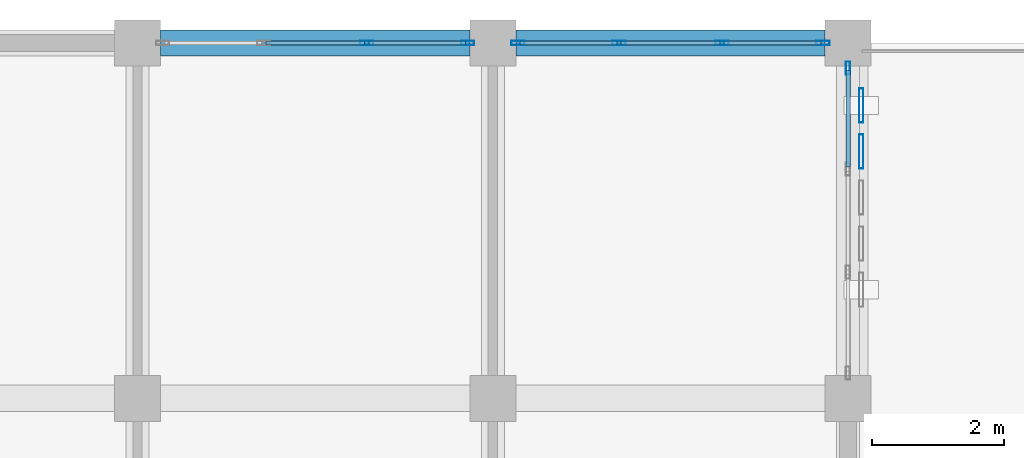
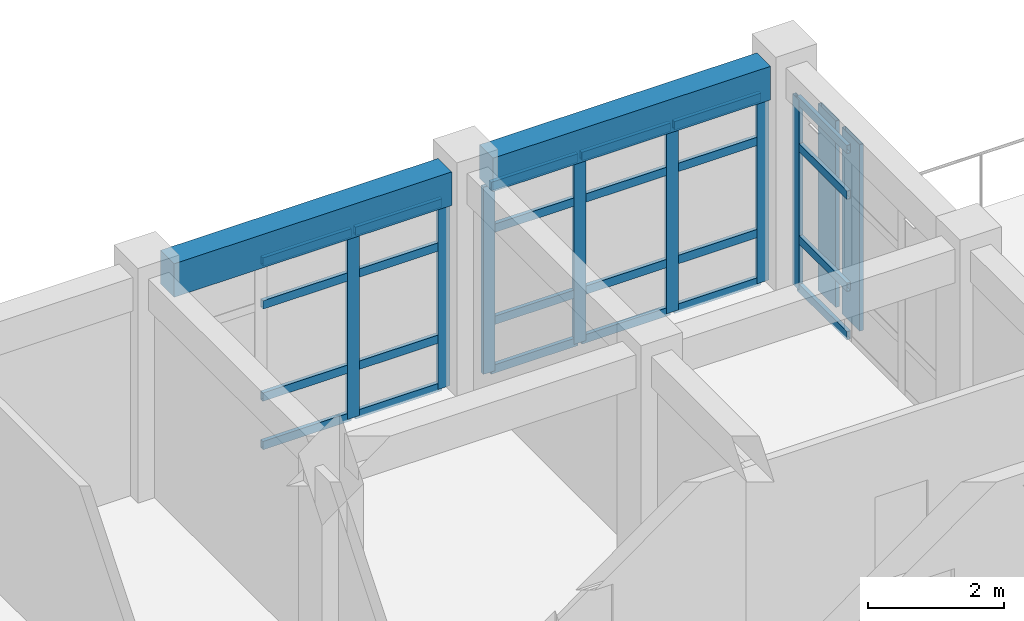
# One storey, part 15 of 22: 33 members, 2 beams, 3 elements without a shape of their own.
"""IFC4 building model written with IfcOpenShell, lengths in metres."""

import ifcopenshell
import ifcopenshell.guid

model = None  # the IFC model being written
_history = None  # IfcOwnerHistory: only IFC2X3 demands one
_inside = {}  # id of a spatial element -> (the spatial element, [elements in it])
_under = {}  # id of a project, library or spatial element -> (it, [spatial elements below it])
_declared = {}  # id of a project -> (the project, [libraries it declares])
_typed = {}  # id of a type object -> (the type object, [elements of that type])
_made_of = {}  # id of a material, layer set ... -> (it, [elements and type objects made of it])


def new_model(schema):
    """Start an empty IFC model of exactly this schema.

    Asked for "IFC4X3", IfcOpenShell would pick the latest addendum, in which some entities
    have other attributes; the version numbers below select the first issue.
    IFC2X3 requires an IfcOwnerHistory on every rooted entity: one is made here for all.
    """
    global model, _history
    if schema == "IFC4X3":
        model = ifcopenshell.file(schema_version=(4, 3, 0, 0))
    else:
        model = ifcopenshell.file(schema=schema)
    _inside.clear()
    _under.clear()
    _declared.clear()
    _typed.clear()
    _made_of.clear()
    _history = None
    if model.schema == "IFC2X3":
        org = make("IfcOrganization", Name="unknown")
        user = make(
            "IfcPersonAndOrganization",
            ThePerson=make("IfcPerson", FamilyName="unknown"),
            TheOrganization=org,
        )
        app = make(
            "IfcApplication",
            ApplicationDeveloper=org,
            Version="unknown",
            ApplicationFullName="unknown",
            ApplicationIdentifier="unknown",
        )
        _history = make(
            "IfcOwnerHistory",
            OwningUser=user,
            OwningApplication=app,
            ChangeAction="ADDED",
            CreationDate=0,
        )
    return model


def make(cls, **values):
    """One entity of the class cls with the attributes given. An attribute that is None is left unset."""
    return model.create_entity(
        cls, **{name: value for name, value in values.items() if value is not None}
    )


def rooted(cls, **values):
    """An entity with a GlobalId (a new one), such as an element, a storey or a relation."""
    return make(cls, GlobalId=ifcopenshell.guid.new(), OwnerHistory=_history, **values)


def si_unit(unit_type, name, prefix=None):
    """IfcSIUnit, for example si_unit("LENGTHUNIT", "METRE", prefix="MILLI")."""
    return make("IfcSIUnit", UnitType=unit_type, Prefix=prefix, Name=name)


def assignment(units):
    """IfcUnitAssignment: the units of a project."""
    return None if units is None else make("IfcUnitAssignment", Units=units)


def point(xyz):
    """IfcCartesianPoint."""
    return None if xyz is None else make("IfcCartesianPoint", Coordinates=xyz)


def direction(xyz):
    """IfcDirection."""
    return None if xyz is None else make("IfcDirection", DirectionRatios=xyz)


def frame(location, z_axis=None, x_axis=None):
    """IfcAxis2Placement3D, a coordinate frame: its origin and axes. An axis left out is left unset."""
    return make(
        "IfcAxis2Placement3D",
        Location=point(location),
        Axis=direction(z_axis),
        RefDirection=direction(x_axis),
    )


def frame_2d(location, x_axis=None):
    """IfcAxis2Placement2D, a coordinate frame in the plane: its origin and x axis."""
    return make(
        "IfcAxis2Placement2D", Location=point(location), RefDirection=direction(x_axis)
    )


def origin():
    """The frame at (0, 0, 0) with its axes left unset."""
    return frame((0.0, 0.0, 0.0))


def origin_2d():
    """The frame at (0, 0) in the plane with its x axis left unset."""
    return frame_2d((0.0, 0.0))


def place(relative_to, where):
    """IfcLocalPlacement: puts the frame where relative to a parent placement (None: the world)."""
    return make(
        "IfcLocalPlacement", PlacementRelTo=relative_to, RelativePlacement=where
    )


def context(
    kind, dimensions, precision=None, world=None, true_north=None, identifier=None
):
    """IfcGeometricRepresentationContext, for example the 3D "Model" context."""
    return make(
        "IfcGeometricRepresentationContext",
        ContextIdentifier=identifier,
        ContextType=kind,
        CoordinateSpaceDimension=dimensions,
        Precision=precision,
        WorldCoordinateSystem=world,
        TrueNorth=true_north,
    )


def subcontext(parent, identifier, kind, view, scale=None):
    """IfcGeometricRepresentationSubContext, for example "Body" below "Model"."""
    return make(
        "IfcGeometricRepresentationSubContext",
        ContextIdentifier=identifier,
        ContextType=kind,
        ParentContext=parent,
        TargetScale=scale,
        TargetView=view,
    )


def project(units=None, contexts=None):
    """IfcProject with its units and contexts."""
    return rooted(
        "IfcProject",
        Name="project",
        RepresentationContexts=contexts,
        UnitsInContext=assignment(units),
    )


def spatial(cls, under=None, at=None, **own):
    """A site, building, storey or space (cls), placed at a placement, below another one or the project."""
    s = rooted(cls, ObjectPlacement=at, **own)
    if under is not None:
        _under.setdefault(under.id(), (under, []))[1].append(s)
    return s


def profile(cls, at=None, kind="AREA", **sizes):
    """A parametric profile (cls). Its sizes go by their IFC names, for example OverallWidth=200.0."""
    return make(cls, ProfileType=kind, Position=at, **sizes)


def rectangle(**sizes):
    """IfcRectangleProfileDef."""
    return profile("IfcRectangleProfileDef", **sizes)


def hollow_rectangle(**sizes):
    """IfcRectangleHollowProfileDef."""
    return profile("IfcRectangleHollowProfileDef", **sizes)


def extrude(swept, where, along, depth):
    """IfcExtrudedAreaSolid: the profile swept, set in the frame where, extruded along a direction by depth."""
    return make(
        "IfcExtrudedAreaSolid",
        SweptArea=swept,
        Position=where,
        ExtrudedDirection=direction(along),
        Depth=depth,
    )


def shape(context_of_items, identifier, shape_type, items):
    """IfcShapeRepresentation: the items that make up one representation, for example the "Body"."""
    return make(
        "IfcShapeRepresentation",
        ContextOfItems=context_of_items,
        RepresentationIdentifier=identifier,
        RepresentationType=shape_type,
        Items=items,
    )


def material(Name=None, Category=None):
    """IfcMaterial."""
    return make("IfcMaterial", Name=Name, Category=Category)


def layer(
    of_material, thickness, ventilated=None, Name=None, Category=None, Priority=None
):
    """IfcMaterialLayer: one layer of a wall or slab, of a material (None: an air gap)."""
    return make(
        "IfcMaterialLayer",
        Material=of_material,
        LayerThickness=thickness,
        IsVentilated=ventilated,
        Name=Name,
        Category=Category,
        Priority=Priority,
    )


def layer_set(layers, Name=None):
    """IfcMaterialLayerSet."""
    return make("IfcMaterialLayerSet", MaterialLayers=layers, LayerSetName=Name)


def material_profile(
    of_material, cross_section, Name=None, Category=None, Priority=None
):
    """IfcMaterialProfile: a cross section and its material."""
    return make(
        "IfcMaterialProfile",
        Name=Name,
        Material=of_material,
        Profile=cross_section,
        Priority=Priority,
        Category=Category,
    )


def profile_set(profiles, Name=None, composite=None):
    """IfcMaterialProfileSet."""
    return make(
        "IfcMaterialProfileSet",
        Name=Name,
        MaterialProfiles=profiles,
        CompositeProfile=composite,
    )


def made_of(thing, what):
    """Note that an element or type object is made of a material, layer set ...; save() writes the relation."""
    if what is not None:
        _made_of.setdefault(what.id(), (what, []))[1].append(thing)
    return thing


def type_object(cls, material=None, **own):
    """A type object (cls), such as IfcWallType, which elements share."""
    return made_of(rooted(cls, **own), material)


def element(
    cls,
    number,
    at=None,
    inside=None,
    cuts=None,
    type_object=None,
    material=None,
    context=None,
    identifier="Body",
    shape_type=None,
    held_by="IfcProductDefinitionShape",
    body=None,
    shapes=None,
    **own,
):
    """One element of the class cls, such as IfcWall. Its Tag is "e" and its number.

    at: its placement. inside: the storey or other place that contains it. cuts: it is an
    opening in that element (IfcRelVoidsElement). A single representation is given by context,
    identifier, shape_type and body (its items); several are given by shapes. held_by: the class
    of the entity that holds the representations. save() writes the other relations.
    """
    e = rooted(cls, Tag="e%d" % number, ObjectPlacement=at, **own)
    if body is not None:
        shapes = [shape(context, identifier, shape_type, body)]
    if shapes is not None:
        e.Representation = make(held_by, Representations=shapes)
    if inside is not None:
        _inside.setdefault(inside.id(), (inside, []))[1].append(e)
    if cuts is not None:
        rooted(
            "IfcRelVoidsElement", RelatingBuildingElement=cuts, RelatedOpeningElement=e
        )
    if type_object is not None:
        _typed.setdefault(type_object.id(), (type_object, []))[1].append(e)
    return made_of(e, material)


def aggregate(whole, parts):
    """IfcRelAggregates: a whole, such as a stair, and the parts it consists of."""
    return rooted("IfcRelAggregates", RelatingObject=whole, RelatedObjects=parts)


def save(model, path):
    """Write the relations noted so far, then the file.

    IfcRelAggregates (storeys below a building ...), IfcRelContainedInSpatialStructure (elements
    in a storey), IfcRelDefinesByType, IfcRelAssociatesMaterial and IfcRelDeclares: one each for
    every whole, place, type object, material and project.
    """
    for whole, parts in _under.values():
        aggregate(whole, parts)
    for where, things in _inside.values():
        rooted(
            "IfcRelContainedInSpatialStructure",
            RelatedElements=things,
            RelatingStructure=where,
        )
    for kind, things in _typed.values():
        rooted("IfcRelDefinesByType", RelatedObjects=things, RelatingType=kind)
    for what, things in _made_of.values():
        rooted("IfcRelAssociatesMaterial", RelatedObjects=things, RelatingMaterial=what)
    for by, libraries in _declared.values():
        rooted("IfcRelDeclares", RelatingContext=by, RelatedDefinitions=libraries)
    model.write(path)


model = new_model("IFC4")

# Units and contexts
model_context = context("Model", 3, precision=1e-05, world=origin(), true_north=direction((0.0, 1.0)))
body_context = subcontext(model_context, "Body", "Model", "MODEL_VIEW")
ifc_project = project(units=[si_unit("LENGTHUNIT", "METRE"), si_unit("AREAUNIT", "SQUARE_METRE"), si_unit("VOLUMEUNIT", "CUBIC_METRE"), si_unit("PLANEANGLEUNIT", "RADIAN"), si_unit("MASSUNIT", "GRAM", prefix="KILO")], contexts=[model_context])

# Site, building, storey
site_placement = place(None, origin())
site = spatial("IfcSite", under=ifc_project, at=site_placement, CompositionType="ELEMENT")
building_placement = place(site_placement, origin())
building = spatial("IfcBuilding", under=site, at=building_placement, Name="Krzemoval Escarpment Law Courts", CompositionType="ELEMENT")
storey_placement = place(building_placement, frame((0.0, 0.0, 29.39990234375)))
storey = spatial("IfcBuildingStorey", under=building, at=storey_placement, Name="L06", CompositionType="ELEMENT", Elevation=29.39990234375)

# Beams
ifc_material_1 = material(Name="Concrete C40/50", Category="concrete")
ifc_material_profile_1 = material_profile(ifc_material_1, rectangle(XDim=0.39990234375, YDim=0.60009765625, at=origin_2d()), Name="RCB 400x600")
ifc_profile_set_1 = profile_set([ifc_material_profile_1], Name="Concrete C40/50")
beam_type = type_object("IfcBeamType", Name="BM-RC-400x600", PredefinedType="BEAM", material=ifc_profile_set_1)
for number, where, z_axis, x_axis, name in (
    (1, (156.949951171875, 118.800048828125, 3.650146484375), (1.0, 0.0, 0.0), (0.0, 1.0, 0.0), "Beam FG-L06-2658"),
    (2, (162.35009765625, 118.800048828125, 3.650146484375), (1.0, 0.0, 0.0), (0.0, 1.0, 0.0), "Beam FG-L06-2659"),
):
    element("IfcBeam", number, at=place(storey_placement, frame(where, z_axis=z_axis, x_axis=x_axis)), inside=storey, type_object=beam_type, Name=name, PredefinedType="BEAM", context=body_context, shape_type="SweptSolid", body=[
        extrude(rectangle(XDim=0.39990234375, YDim=0.60009765625, at=origin_2d()), origin(), (0.0, 0.0, 1.0), 4.699951171875),
    ])

# Curtain wall, members
ifc_material_2 = material(Name="Aluminium 6063-T6", Category="aluminium")
ifc_layer = layer(ifc_material_2, 0.219970703125)
ifc_layer_set = layer_set([ifc_layer], Name="Aluminium 6063-T6")
curtain_wall_type = type_object("IfcCurtainWallType", Name="CW-CHMB-4200", PredefinedType="USERDEFINED", material=ifc_layer_set)
curtain_wall_1_placement = place(storey_placement, origin())
curtain_wall_1 = element("IfcCurtainWall", 3, at=curtain_wall_1_placement, inside=storey, type_object=curtain_wall_type, Name="Unitised Curtain Wall FCW-L06-151", ObjectType="UNITISED_CURTAIN_WALL", PredefinedType="USERDEFINED")
ifc_material_3 = material(Name="Aluminium 6063-T6", Category="aluminium")
ifc_material_profile_2 = material_profile(ifc_material_3, hollow_rectangle(XDim=0.06494140625, YDim=0.199951171875, WallThickness=0.00439453125, at=origin_2d()), Name="ALU M65x200")
ifc_profile_set_2 = profile_set([ifc_material_profile_2], Name="Aluminium 6063-T6")
member_type_1 = type_object("IfcMemberType", Name="CWM-65x200", PredefinedType="MULLION", material=ifc_profile_set_2)
member_1_placement = place(storey_placement, frame((160.083251953125, 118.800048828125, 0.0), z_axis=(0.0, 0.0, 1.0), x_axis=(0.0, 1.0, 0.0)))
member_1 = element("IfcMember", 4, at=member_1_placement, type_object=member_type_1, Name="FCW-L06-151 mullion 3", PredefinedType="MULLION", context=body_context, shape_type="SweptSolid", body=[
    extrude(hollow_rectangle(XDim=0.06494140625, YDim=0.199951171875, WallThickness=0.00439453125, at=origin_2d()), origin(), (0.0, 0.0, 1.0), 3.35009765625),
])
member_2_placement = place(storey_placement, frame((161.617431640625, 118.800048828125, 0.0), z_axis=(0.0, 0.0, 1.0), x_axis=(0.0, 1.0, 0.0)))
member_2 = element("IfcMember", 5, at=member_2_placement, type_object=member_type_1, Name="FCW-L06-151 mullion 4", PredefinedType="MULLION", context=body_context, shape_type="SweptSolid", body=[
    extrude(hollow_rectangle(XDim=0.06494140625, YDim=0.199951171875, WallThickness=0.00439453125, at=origin_2d()), origin(), (0.0, 0.0, 1.0), 3.35009765625),
])

curtain_wall_2_placement = place(storey_placement, origin())
curtain_wall_2 = element("IfcCurtainWall", 6, at=curtain_wall_2_placement, inside=storey, type_object=curtain_wall_type, Name="Unitised Curtain Wall FCW-L06-152", ObjectType="UNITISED_CURTAIN_WALL", PredefinedType="USERDEFINED")
member_3_placement = place(storey_placement, frame((162.382568359375, 118.800048828125, 0.0), z_axis=(0.0, 0.0, 1.0), x_axis=(0.0, 1.0, 0.0)))
member_3 = element("IfcMember", 7, at=member_3_placement, type_object=member_type_1, Name="FCW-L06-152 mullion 1", PredefinedType="MULLION", context=body_context, shape_type="SweptSolid", body=[
    extrude(hollow_rectangle(XDim=0.06494140625, YDim=0.199951171875, WallThickness=0.00439453125, at=origin_2d()), origin(), (0.0, 0.0, 1.0), 3.35009765625),
])
member_4_placement = place(storey_placement, frame((163.916748046875, 118.800048828125, 0.0), z_axis=(0.0, 0.0, 1.0), x_axis=(0.0, 1.0, 0.0)))
member_4 = element("IfcMember", 8, at=member_4_placement, type_object=member_type_1, Name="FCW-L06-152 mullion 2", PredefinedType="MULLION", context=body_context, shape_type="SweptSolid", body=[
    extrude(hollow_rectangle(XDim=0.06494140625, YDim=0.199951171875, WallThickness=0.00439453125, at=origin_2d()), origin(), (0.0, 0.0, 1.0), 3.35009765625),
])
member_5_placement = place(storey_placement, frame((165.4833984375, 118.800048828125, 0.0), z_axis=(0.0, 0.0, 1.0), x_axis=(0.0, 1.0, 0.0)))
member_5 = element("IfcMember", 9, at=member_5_placement, type_object=member_type_1, Name="FCW-L06-152 mullion 3", PredefinedType="MULLION", context=body_context, shape_type="SweptSolid", body=[
    extrude(hollow_rectangle(XDim=0.06494140625, YDim=0.199951171875, WallThickness=0.00439453125, at=origin_2d()), origin(), (0.0, 0.0, 1.0), 3.35009765625),
])
member_6_placement = place(storey_placement, frame((167.017578125, 118.800048828125, 0.0), z_axis=(0.0, 0.0, 1.0), x_axis=(0.0, 1.0, 0.0)))
member_6 = element("IfcMember", 10, at=member_6_placement, type_object=member_type_1, Name="FCW-L06-152 mullion 4", PredefinedType="MULLION", context=body_context, shape_type="SweptSolid", body=[
    extrude(hollow_rectangle(XDim=0.06494140625, YDim=0.199951171875, WallThickness=0.00439453125, at=origin_2d()), origin(), (0.0, 0.0, 1.0), 3.35009765625),
])

# Curtain wall, member
curtain_wall_3_placement = place(storey_placement, origin())
curtain_wall_3 = element("IfcCurtainWall", 11, at=curtain_wall_3_placement, inside=storey, type_object=curtain_wall_type, Name="Unitised Curtain Wall FCW-L06-153", ObjectType="UNITISED_CURTAIN_WALL", PredefinedType="USERDEFINED")
member_7_placement = place(storey_placement, frame((167.39990234375, 118.41748046875, 0.0), z_axis=(0.0, 0.0, 1.0), x_axis=(1.0, 0.0, 0.0)))
member_7 = element("IfcMember", 12, at=member_7_placement, type_object=member_type_1, Name="FCW-L06-153 mullion 1", PredefinedType="MULLION", context=body_context, shape_type="SweptSolid", body=[
    extrude(hollow_rectangle(XDim=0.06494140625, YDim=0.199951171875, WallThickness=0.00439453125, at=origin_2d()), origin(), (0.0, 0.0, 1.0), 3.400146484375),
])

# Member
ifc_material_4 = material(Name="Aluminium 6063-T6", Category="aluminium")
ifc_material_profile_3 = material_profile(ifc_material_4, hollow_rectangle(XDim=0.06494140625, YDim=0.14990234375, WallThickness=0.00439453125, at=origin_2d()), Name="ALU T65x150")
ifc_profile_set_3 = profile_set([ifc_material_profile_3], Name="Aluminium 6063-T6")
member_type_2 = type_object("IfcMemberType", Name="CWT-65x150", PredefinedType="USERDEFINED", material=ifc_profile_set_3)
member_8_placement = place(storey_placement, frame((158.549072265625, 118.800048828125, 0.03271484375), z_axis=(1.0, 0.0, 0.0), x_axis=(0.0, 1.0, 0.0)))
member_8 = element("IfcMember", 13, at=member_8_placement, type_object=member_type_2, Name="FCW-L06-151 transom 2.1", ObjectType="TRANSOM", PredefinedType="USERDEFINED", context=body_context, shape_type="SweptSolid", body=[
    extrude(hollow_rectangle(XDim=0.06494140625, YDim=0.14990234375, WallThickness=0.00439453125, at=origin_2d()), origin(), (0.0, 0.0, 1.0), 1.501708984375),
])

member_9_placement = place(storey_placement, frame((158.549072265625, 118.800048828125, 0.900146484375), z_axis=(1.0, 0.0, 0.0), x_axis=(0.0, 1.0, 0.0)))
member_9 = element("IfcMember", 14, at=member_9_placement, type_object=member_type_2, Name="FCW-L06-151 transom 2.2", ObjectType="TRANSOM", PredefinedType="USERDEFINED", context=body_context, shape_type="SweptSolid", body=[
    extrude(hollow_rectangle(XDim=0.06494140625, YDim=0.14990234375, WallThickness=0.00439453125, at=origin_2d()), origin(), (0.0, 0.0, 1.0), 1.501708984375),
])

member_10_placement = place(storey_placement, frame((158.549072265625, 118.800048828125, 2.550048828125), z_axis=(1.0, 0.0, 0.0), x_axis=(0.0, 1.0, 0.0)))
member_10 = element("IfcMember", 15, at=member_10_placement, type_object=member_type_2, Name="FCW-L06-151 transom 2.3", ObjectType="TRANSOM", PredefinedType="USERDEFINED", context=body_context, shape_type="SweptSolid", body=[
    extrude(hollow_rectangle(XDim=0.06494140625, YDim=0.14990234375, WallThickness=0.00439453125, at=origin_2d()), origin(), (0.0, 0.0, 1.0), 1.501708984375),
])

member_11_placement = place(storey_placement, frame((158.549072265625, 118.800048828125, 3.317626953125), z_axis=(1.0, 0.0, 0.0), x_axis=(0.0, 1.0, 0.0)))
member_11 = element("IfcMember", 16, at=member_11_placement, type_object=member_type_2, Name="FCW-L06-151 transom 2.4", ObjectType="TRANSOM", PredefinedType="USERDEFINED", context=body_context, shape_type="SweptSolid", body=[
    extrude(hollow_rectangle(XDim=0.06494140625, YDim=0.14990234375, WallThickness=0.00439453125, at=origin_2d()), origin(), (0.0, 0.0, 1.0), 1.501708984375),
])

member_12_placement = place(storey_placement, frame((160.11572265625, 118.800048828125, 0.03271484375), z_axis=(1.0, 0.0, 0.0), x_axis=(0.0, 1.0, 0.0)))
member_12 = element("IfcMember", 17, at=member_12_placement, type_object=member_type_2, Name="FCW-L06-151 transom 3.1", ObjectType="TRANSOM", PredefinedType="USERDEFINED", context=body_context, shape_type="SweptSolid", body=[
    extrude(hollow_rectangle(XDim=0.06494140625, YDim=0.14990234375, WallThickness=0.00439453125, at=origin_2d()), origin(), (0.0, 0.0, 1.0), 1.46923828125),
])

member_13_placement = place(storey_placement, frame((160.11572265625, 118.800048828125, 0.900146484375), z_axis=(1.0, 0.0, 0.0), x_axis=(0.0, 1.0, 0.0)))
member_13 = element("IfcMember", 18, at=member_13_placement, type_object=member_type_2, Name="FCW-L06-151 transom 3.2", ObjectType="TRANSOM", PredefinedType="USERDEFINED", context=body_context, shape_type="SweptSolid", body=[
    extrude(hollow_rectangle(XDim=0.06494140625, YDim=0.14990234375, WallThickness=0.00439453125, at=origin_2d()), origin(), (0.0, 0.0, 1.0), 1.46923828125),
])

member_14_placement = place(storey_placement, frame((160.11572265625, 118.800048828125, 2.550048828125), z_axis=(1.0, 0.0, 0.0), x_axis=(0.0, 1.0, 0.0)))
member_14 = element("IfcMember", 19, at=member_14_placement, type_object=member_type_2, Name="FCW-L06-151 transom 3.3", ObjectType="TRANSOM", PredefinedType="USERDEFINED", context=body_context, shape_type="SweptSolid", body=[
    extrude(hollow_rectangle(XDim=0.06494140625, YDim=0.14990234375, WallThickness=0.00439453125, at=origin_2d()), origin(), (0.0, 0.0, 1.0), 1.46923828125),
])

member_15_placement = place(storey_placement, frame((160.11572265625, 118.800048828125, 3.317626953125), z_axis=(1.0, 0.0, 0.0), x_axis=(0.0, 1.0, 0.0)))
member_15 = element("IfcMember", 20, at=member_15_placement, type_object=member_type_2, Name="FCW-L06-151 transom 3.4", ObjectType="TRANSOM", PredefinedType="USERDEFINED", context=body_context, shape_type="SweptSolid", body=[
    extrude(hollow_rectangle(XDim=0.06494140625, YDim=0.14990234375, WallThickness=0.00439453125, at=origin_2d()), origin(), (0.0, 0.0, 1.0), 1.46923828125),
])

aggregate(curtain_wall_1, [member_1, member_2, member_8, member_9, member_10, member_11, member_12, member_13, member_14, member_15])

member_16_placement = place(storey_placement, frame((162.4150390625, 118.800048828125, 0.03271484375), z_axis=(1.0, 0.0, 0.0), x_axis=(0.0, 1.0, 0.0)))
member_16 = element("IfcMember", 21, at=member_16_placement, type_object=member_type_2, Name="FCW-L06-152 transom 1.1", ObjectType="TRANSOM", PredefinedType="USERDEFINED", context=body_context, shape_type="SweptSolid", body=[
    extrude(hollow_rectangle(XDim=0.06494140625, YDim=0.14990234375, WallThickness=0.00439453125, at=origin_2d()), origin(), (0.0, 0.0, 1.0), 1.46923828125),
])

member_17_placement = place(storey_placement, frame((162.4150390625, 118.800048828125, 0.900146484375), z_axis=(1.0, 0.0, 0.0), x_axis=(0.0, 1.0, 0.0)))
member_17 = element("IfcMember", 22, at=member_17_placement, type_object=member_type_2, Name="FCW-L06-152 transom 1.2", ObjectType="TRANSOM", PredefinedType="USERDEFINED", context=body_context, shape_type="SweptSolid", body=[
    extrude(hollow_rectangle(XDim=0.06494140625, YDim=0.14990234375, WallThickness=0.00439453125, at=origin_2d()), origin(), (0.0, 0.0, 1.0), 1.46923828125),
])

member_18_placement = place(storey_placement, frame((162.4150390625, 118.800048828125, 2.550048828125), z_axis=(1.0, 0.0, 0.0), x_axis=(0.0, 1.0, 0.0)))
member_18 = element("IfcMember", 23, at=member_18_placement, type_object=member_type_2, Name="FCW-L06-152 transom 1.3", ObjectType="TRANSOM", PredefinedType="USERDEFINED", context=body_context, shape_type="SweptSolid", body=[
    extrude(hollow_rectangle(XDim=0.06494140625, YDim=0.14990234375, WallThickness=0.00439453125, at=origin_2d()), origin(), (0.0, 0.0, 1.0), 1.46923828125),
])

member_19_placement = place(storey_placement, frame((162.4150390625, 118.800048828125, 3.317626953125), z_axis=(1.0, 0.0, 0.0), x_axis=(0.0, 1.0, 0.0)))
member_19 = element("IfcMember", 24, at=member_19_placement, type_object=member_type_2, Name="FCW-L06-152 transom 1.4", ObjectType="TRANSOM", PredefinedType="USERDEFINED", context=body_context, shape_type="SweptSolid", body=[
    extrude(hollow_rectangle(XDim=0.06494140625, YDim=0.14990234375, WallThickness=0.00439453125, at=origin_2d()), origin(), (0.0, 0.0, 1.0), 1.46923828125),
])

member_20_placement = place(storey_placement, frame((163.94921875, 118.800048828125, 0.03271484375), z_axis=(1.0, 0.0, 0.0), x_axis=(0.0, 1.0, 0.0)))
member_20 = element("IfcMember", 25, at=member_20_placement, type_object=member_type_2, Name="FCW-L06-152 transom 2.1", ObjectType="TRANSOM", PredefinedType="USERDEFINED", context=body_context, shape_type="SweptSolid", body=[
    extrude(hollow_rectangle(XDim=0.06494140625, YDim=0.14990234375, WallThickness=0.00439453125, at=origin_2d()), origin(), (0.0, 0.0, 1.0), 1.501708984375),
])

member_21_placement = place(storey_placement, frame((163.94921875, 118.800048828125, 0.900146484375), z_axis=(1.0, 0.0, 0.0), x_axis=(0.0, 1.0, 0.0)))
member_21 = element("IfcMember", 26, at=member_21_placement, type_object=member_type_2, Name="FCW-L06-152 transom 2.2", ObjectType="TRANSOM", PredefinedType="USERDEFINED", context=body_context, shape_type="SweptSolid", body=[
    extrude(hollow_rectangle(XDim=0.06494140625, YDim=0.14990234375, WallThickness=0.00439453125, at=origin_2d()), origin(), (0.0, 0.0, 1.0), 1.501708984375),
])

member_22_placement = place(storey_placement, frame((163.94921875, 118.800048828125, 2.550048828125), z_axis=(1.0, 0.0, 0.0), x_axis=(0.0, 1.0, 0.0)))
member_22 = element("IfcMember", 27, at=member_22_placement, type_object=member_type_2, Name="FCW-L06-152 transom 2.3", ObjectType="TRANSOM", PredefinedType="USERDEFINED", context=body_context, shape_type="SweptSolid", body=[
    extrude(hollow_rectangle(XDim=0.06494140625, YDim=0.14990234375, WallThickness=0.00439453125, at=origin_2d()), origin(), (0.0, 0.0, 1.0), 1.501708984375),
])

member_23_placement = place(storey_placement, frame((163.94921875, 118.800048828125, 3.317626953125), z_axis=(1.0, 0.0, 0.0), x_axis=(0.0, 1.0, 0.0)))
member_23 = element("IfcMember", 28, at=member_23_placement, type_object=member_type_2, Name="FCW-L06-152 transom 2.4", ObjectType="TRANSOM", PredefinedType="USERDEFINED", context=body_context, shape_type="SweptSolid", body=[
    extrude(hollow_rectangle(XDim=0.06494140625, YDim=0.14990234375, WallThickness=0.00439453125, at=origin_2d()), origin(), (0.0, 0.0, 1.0), 1.501708984375),
])

member_24_placement = place(storey_placement, frame((165.515869140625, 118.800048828125, 0.03271484375), z_axis=(1.0, 0.0, 0.0), x_axis=(0.0, 1.0, 0.0)))
member_24 = element("IfcMember", 29, at=member_24_placement, type_object=member_type_2, Name="FCW-L06-152 transom 3.1", ObjectType="TRANSOM", PredefinedType="USERDEFINED", context=body_context, shape_type="SweptSolid", body=[
    extrude(hollow_rectangle(XDim=0.06494140625, YDim=0.14990234375, WallThickness=0.00439453125, at=origin_2d()), origin(), (0.0, 0.0, 1.0), 1.46923828125),
])

member_25_placement = place(storey_placement, frame((165.515869140625, 118.800048828125, 0.900146484375), z_axis=(1.0, 0.0, 0.0), x_axis=(0.0, 1.0, 0.0)))
member_25 = element("IfcMember", 30, at=member_25_placement, type_object=member_type_2, Name="FCW-L06-152 transom 3.2", ObjectType="TRANSOM", PredefinedType="USERDEFINED", context=body_context, shape_type="SweptSolid", body=[
    extrude(hollow_rectangle(XDim=0.06494140625, YDim=0.14990234375, WallThickness=0.00439453125, at=origin_2d()), origin(), (0.0, 0.0, 1.0), 1.46923828125),
])

member_26_placement = place(storey_placement, frame((165.515869140625, 118.800048828125, 2.550048828125), z_axis=(1.0, 0.0, 0.0), x_axis=(0.0, 1.0, 0.0)))
member_26 = element("IfcMember", 31, at=member_26_placement, type_object=member_type_2, Name="FCW-L06-152 transom 3.3", ObjectType="TRANSOM", PredefinedType="USERDEFINED", context=body_context, shape_type="SweptSolid", body=[
    extrude(hollow_rectangle(XDim=0.06494140625, YDim=0.14990234375, WallThickness=0.00439453125, at=origin_2d()), origin(), (0.0, 0.0, 1.0), 1.46923828125),
])

member_27_placement = place(storey_placement, frame((165.515869140625, 118.800048828125, 3.317626953125), z_axis=(1.0, 0.0, 0.0), x_axis=(0.0, 1.0, 0.0)))
member_27 = element("IfcMember", 32, at=member_27_placement, type_object=member_type_2, Name="FCW-L06-152 transom 3.4", ObjectType="TRANSOM", PredefinedType="USERDEFINED", context=body_context, shape_type="SweptSolid", body=[
    extrude(hollow_rectangle(XDim=0.06494140625, YDim=0.14990234375, WallThickness=0.00439453125, at=origin_2d()), origin(), (0.0, 0.0, 1.0), 1.46923828125),
])

aggregate(curtain_wall_2, [member_3, member_4, member_5, member_6, member_16, member_17, member_18, member_19, member_20, member_21, member_22, member_23, member_24, member_25, member_26, member_27])

member_28_placement = place(storey_placement, frame((167.39990234375, 118.385009765625, 0.03271484375), z_axis=(0.0, -1.0, 0.0), x_axis=(1.0, 0.0, 0.0)))
member_28 = element("IfcMember", 33, at=member_28_placement, type_object=member_type_2, Name="FCW-L06-153 transom 1.1", ObjectType="TRANSOM", PredefinedType="USERDEFINED", context=body_context, shape_type="SweptSolid", body=[
    extrude(hollow_rectangle(XDim=0.06494140625, YDim=0.14990234375, WallThickness=0.00439453125, at=origin_2d()), origin(), (0.0, 0.0, 1.0), 1.46923828125),
])

member_29_placement = place(storey_placement, frame((167.39990234375, 118.385009765625, 0.900146484375), z_axis=(0.0, -1.0, 0.0), x_axis=(1.0, 0.0, 0.0)))
member_29 = element("IfcMember", 34, at=member_29_placement, type_object=member_type_2, Name="FCW-L06-153 transom 1.2", ObjectType="TRANSOM", PredefinedType="USERDEFINED", context=body_context, shape_type="SweptSolid", body=[
    extrude(hollow_rectangle(XDim=0.06494140625, YDim=0.14990234375, WallThickness=0.00439453125, at=origin_2d()), origin(), (0.0, 0.0, 1.0), 1.46923828125),
])

member_30_placement = place(storey_placement, frame((167.39990234375, 118.385009765625, 2.550048828125), z_axis=(0.0, -1.0, 0.0), x_axis=(1.0, 0.0, 0.0)))
member_30 = element("IfcMember", 35, at=member_30_placement, type_object=member_type_2, Name="FCW-L06-153 transom 1.3", ObjectType="TRANSOM", PredefinedType="USERDEFINED", context=body_context, shape_type="SweptSolid", body=[
    extrude(hollow_rectangle(XDim=0.06494140625, YDim=0.14990234375, WallThickness=0.00439453125, at=origin_2d()), origin(), (0.0, 0.0, 1.0), 1.46923828125),
])

member_31_placement = place(storey_placement, frame((167.39990234375, 118.385009765625, 3.36767578125), z_axis=(0.0, -1.0, 0.0), x_axis=(1.0, 0.0, 0.0)))
member_31 = element("IfcMember", 36, at=member_31_placement, type_object=member_type_2, Name="FCW-L06-153 transom 1.4", ObjectType="TRANSOM", PredefinedType="USERDEFINED", context=body_context, shape_type="SweptSolid", body=[
    extrude(hollow_rectangle(XDim=0.06494140625, YDim=0.14990234375, WallThickness=0.00439453125, at=origin_2d()), origin(), (0.0, 0.0, 1.0), 1.46923828125),
])

aggregate(curtain_wall_3, [member_7, member_28, member_29, member_30, member_31])

# Members
ifc_material_5 = material(Name="Anodised Aluminium Alloy 6063-T6", Category="aluminium")
ifc_material_profile_4 = material_profile(ifc_material_5, hollow_rectangle(XDim=0.06494140625, YDim=0.52001953125, WallThickness=0.00439453125, at=origin_2d()), Name="ALU LVR 65x520")
ifc_profile_set_4 = profile_set([ifc_material_profile_4], Name="Anodised Aluminium Alloy 6063-T6")
member_type_3 = type_object("IfcMemberType", Name="LVR-ALU-520", PredefinedType="USERDEFINED", material=ifc_profile_set_4)
for number, where, z_axis, x_axis, name in (
    (37, (167.60009765625, 117.85009765625, 0.06005859375), (0.0, 0.0, 1.0), (1.0, 0.0, 0.0), "Sunshade Louvre Fin FLV-L06-1003"),
    (38, (167.60009765625, 117.14990234375, 0.06005859375), (0.0, 0.0, 1.0), (1.0, 0.0, 0.0), "Sunshade Louvre Fin FLV-L06-1004"),
):
    element("IfcMember", number, at=place(storey_placement, frame(where, z_axis=z_axis, x_axis=x_axis)), inside=storey, type_object=member_type_3, Name=name, ObjectType="SUNSHADE_LOUVRE", PredefinedType="USERDEFINED", context=body_context, shape_type="SweptSolid", body=[
        extrude(hollow_rectangle(XDim=0.06494140625, YDim=0.52001953125, WallThickness=0.00439453125, at=origin_2d()), origin(), (0.0, 0.0, 1.0), 3.340087890625),
    ])

save(model, "model.ifc")
